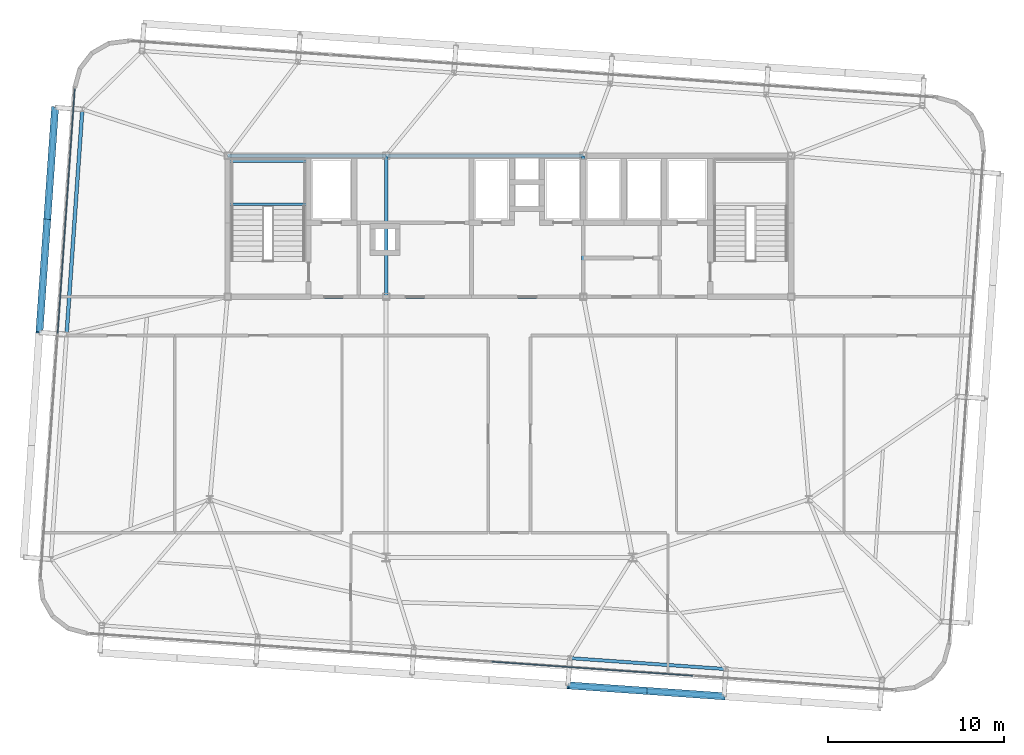
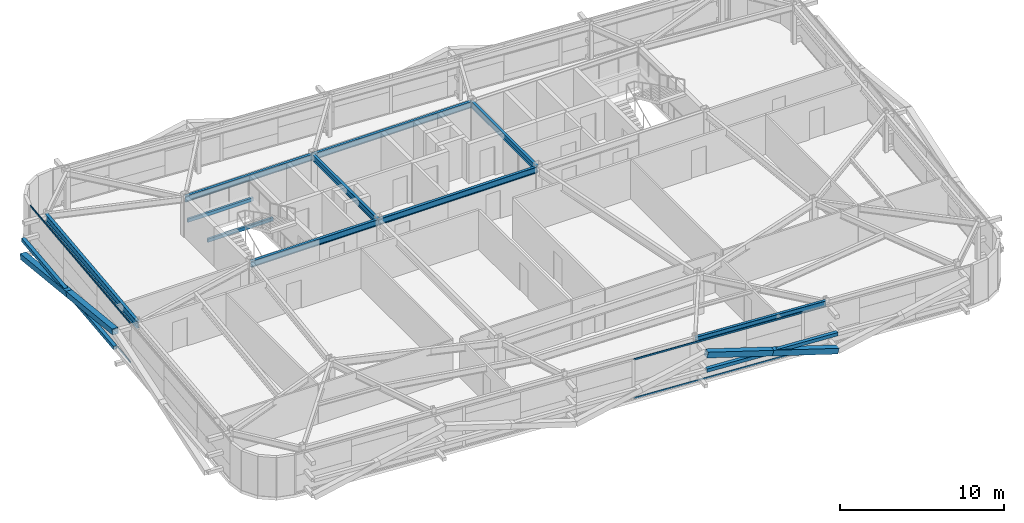
# One storey, part 12 of 39: 10 beams, 10 members, 2 elements without a shape of their own.
"""IFC4 building model written with IfcOpenShell, lengths in metres."""

import ifcopenshell
import ifcopenshell.guid

model = None  # the IFC model being written
_history = None  # IfcOwnerHistory: only IFC2X3 demands one
_inside = {}  # id of a spatial element -> (the spatial element, [elements in it])
_under = {}  # id of a project, library or spatial element -> (it, [spatial elements below it])
_declared = {}  # id of a project -> (the project, [libraries it declares])
_typed = {}  # id of a type object -> (the type object, [elements of that type])
_made_of = {}  # id of a material, layer set ... -> (it, [elements and type objects made of it])


def new_model(schema):
    """Start an empty IFC model of exactly this schema.

    Asked for "IFC4X3", IfcOpenShell would pick the latest addendum, in which some entities
    have other attributes; the version numbers below select the first issue.
    IFC2X3 requires an IfcOwnerHistory on every rooted entity: one is made here for all.
    """
    global model, _history
    if schema == "IFC4X3":
        model = ifcopenshell.file(schema_version=(4, 3, 0, 0))
    else:
        model = ifcopenshell.file(schema=schema)
    _inside.clear()
    _under.clear()
    _declared.clear()
    _typed.clear()
    _made_of.clear()
    _history = None
    if model.schema == "IFC2X3":
        org = make("IfcOrganization", Name="unknown")
        user = make(
            "IfcPersonAndOrganization",
            ThePerson=make("IfcPerson", FamilyName="unknown"),
            TheOrganization=org,
        )
        app = make(
            "IfcApplication",
            ApplicationDeveloper=org,
            Version="unknown",
            ApplicationFullName="unknown",
            ApplicationIdentifier="unknown",
        )
        _history = make(
            "IfcOwnerHistory",
            OwningUser=user,
            OwningApplication=app,
            ChangeAction="ADDED",
            CreationDate=0,
        )
    return model


def make(cls, **values):
    """One entity of the class cls with the attributes given. An attribute that is None is left unset."""
    return model.create_entity(
        cls, **{name: value for name, value in values.items() if value is not None}
    )


def rooted(cls, **values):
    """An entity with a GlobalId (a new one), such as an element, a storey or a relation."""
    return make(cls, GlobalId=ifcopenshell.guid.new(), OwnerHistory=_history, **values)


def si_unit(unit_type, name, prefix=None):
    """IfcSIUnit, for example si_unit("LENGTHUNIT", "METRE", prefix="MILLI")."""
    return make("IfcSIUnit", UnitType=unit_type, Prefix=prefix, Name=name)


def assignment(units):
    """IfcUnitAssignment: the units of a project."""
    return None if units is None else make("IfcUnitAssignment", Units=units)


def point(xyz):
    """IfcCartesianPoint."""
    return None if xyz is None else make("IfcCartesianPoint", Coordinates=xyz)


def direction(xyz):
    """IfcDirection."""
    return None if xyz is None else make("IfcDirection", DirectionRatios=xyz)


def frame(location, z_axis=None, x_axis=None):
    """IfcAxis2Placement3D, a coordinate frame: its origin and axes. An axis left out is left unset."""
    return make(
        "IfcAxis2Placement3D",
        Location=point(location),
        Axis=direction(z_axis),
        RefDirection=direction(x_axis),
    )


def frame_2d(location, x_axis=None):
    """IfcAxis2Placement2D, a coordinate frame in the plane: its origin and x axis."""
    return make(
        "IfcAxis2Placement2D", Location=point(location), RefDirection=direction(x_axis)
    )


def origin():
    """The frame at (0, 0, 0) with its axes left unset."""
    return frame((0.0, 0.0, 0.0))


def origin_2d():
    """The frame at (0, 0) in the plane with its x axis left unset."""
    return frame_2d((0.0, 0.0))


def place(relative_to, where):
    """IfcLocalPlacement: puts the frame where relative to a parent placement (None: the world)."""
    return make(
        "IfcLocalPlacement", PlacementRelTo=relative_to, RelativePlacement=where
    )


def context(
    kind, dimensions, precision=None, world=None, true_north=None, identifier=None
):
    """IfcGeometricRepresentationContext, for example the 3D "Model" context."""
    return make(
        "IfcGeometricRepresentationContext",
        ContextIdentifier=identifier,
        ContextType=kind,
        CoordinateSpaceDimension=dimensions,
        Precision=precision,
        WorldCoordinateSystem=world,
        TrueNorth=true_north,
    )


def subcontext(parent, identifier, kind, view, scale=None):
    """IfcGeometricRepresentationSubContext, for example "Body" below "Model"."""
    return make(
        "IfcGeometricRepresentationSubContext",
        ContextIdentifier=identifier,
        ContextType=kind,
        ParentContext=parent,
        TargetScale=scale,
        TargetView=view,
    )


def project(units=None, contexts=None):
    """IfcProject with its units and contexts."""
    return rooted(
        "IfcProject",
        Name="project",
        RepresentationContexts=contexts,
        UnitsInContext=assignment(units),
    )


def spatial(cls, under=None, at=None, **own):
    """A site, building, storey or space (cls), placed at a placement, below another one or the project."""
    s = rooted(cls, ObjectPlacement=at, **own)
    if under is not None:
        _under.setdefault(under.id(), (under, []))[1].append(s)
    return s


def profile(cls, at=None, kind="AREA", **sizes):
    """A parametric profile (cls). Its sizes go by their IFC names, for example OverallWidth=200.0."""
    return make(cls, ProfileType=kind, Position=at, **sizes)


def hollow_rectangle(**sizes):
    """IfcRectangleHollowProfileDef."""
    return profile("IfcRectangleHollowProfileDef", **sizes)


def i_section(**sizes):
    """IfcIShapeProfileDef."""
    return profile("IfcIShapeProfileDef", **sizes)


def extrude(swept, where, along, depth):
    """IfcExtrudedAreaSolid: the profile swept, set in the frame where, extruded along a direction by depth."""
    return make(
        "IfcExtrudedAreaSolid",
        SweptArea=swept,
        Position=where,
        ExtrudedDirection=direction(along),
        Depth=depth,
    )


def shape(context_of_items, identifier, shape_type, items):
    """IfcShapeRepresentation: the items that make up one representation, for example the "Body"."""
    return make(
        "IfcShapeRepresentation",
        ContextOfItems=context_of_items,
        RepresentationIdentifier=identifier,
        RepresentationType=shape_type,
        Items=items,
    )


def source(mapping_origin, context_of_items, identifier, shape_type, items):
    """IfcRepresentationMap: a shape defined once, which mapped items show again and again."""
    return make(
        "IfcRepresentationMap",
        MappingOrigin=mapping_origin,
        MappedRepresentation=shape(context_of_items, identifier, shape_type, items),
    )


def transform(
    local_origin,
    x_axis=None,
    y_axis=None,
    z_axis=None,
    scale=None,
    scale2=None,
    scale3=None,
    uniform=True,
):
    """IfcCartesianTransformationOperator3D, or its non-uniform kind. x_axis, y_axis, z_axis: its Axis1, 2, 3."""
    if uniform:
        return make(
            "IfcCartesianTransformationOperator3D",
            Axis1=direction(x_axis),
            Axis2=direction(y_axis),
            LocalOrigin=point(local_origin),
            Scale=scale,
            Axis3=direction(z_axis),
        )
    return make(
        "IfcCartesianTransformationOperator3DnonUniform",
        Axis1=direction(x_axis),
        Axis2=direction(y_axis),
        LocalOrigin=point(local_origin),
        Scale=scale,
        Axis3=direction(z_axis),
        Scale2=scale2,
        Scale3=scale3,
    )


def mapped(mapping_source, mapping_target):
    """IfcMappedItem: shows the shape of a source again, moved by a transform."""
    return make(
        "IfcMappedItem", MappingSource=mapping_source, MappingTarget=mapping_target
    )


def material(Name=None, Category=None):
    """IfcMaterial."""
    return make("IfcMaterial", Name=Name, Category=Category)


def layer(
    of_material, thickness, ventilated=None, Name=None, Category=None, Priority=None
):
    """IfcMaterialLayer: one layer of a wall or slab, of a material (None: an air gap)."""
    return make(
        "IfcMaterialLayer",
        Material=of_material,
        LayerThickness=thickness,
        IsVentilated=ventilated,
        Name=Name,
        Category=Category,
        Priority=Priority,
    )


def layer_set(layers, Name=None):
    """IfcMaterialLayerSet."""
    return make("IfcMaterialLayerSet", MaterialLayers=layers, LayerSetName=Name)


def material_profile(
    of_material, cross_section, Name=None, Category=None, Priority=None
):
    """IfcMaterialProfile: a cross section and its material."""
    return make(
        "IfcMaterialProfile",
        Name=Name,
        Material=of_material,
        Profile=cross_section,
        Priority=Priority,
        Category=Category,
    )


def profile_set(profiles, Name=None, composite=None):
    """IfcMaterialProfileSet."""
    return make(
        "IfcMaterialProfileSet",
        Name=Name,
        MaterialProfiles=profiles,
        CompositeProfile=composite,
    )


def made_of(thing, what):
    """Note that an element or type object is made of a material, layer set ...; save() writes the relation."""
    if what is not None:
        _made_of.setdefault(what.id(), (what, []))[1].append(thing)
    return thing


def type_object(cls, material=None, **own):
    """A type object (cls), such as IfcWallType, which elements share."""
    return made_of(rooted(cls, **own), material)


def element(
    cls,
    number,
    at=None,
    inside=None,
    cuts=None,
    type_object=None,
    material=None,
    context=None,
    identifier="Body",
    shape_type=None,
    held_by="IfcProductDefinitionShape",
    body=None,
    shapes=None,
    **own,
):
    """One element of the class cls, such as IfcWall. Its Tag is "e" and its number.

    at: its placement. inside: the storey or other place that contains it. cuts: it is an
    opening in that element (IfcRelVoidsElement). A single representation is given by context,
    identifier, shape_type and body (its items); several are given by shapes. held_by: the class
    of the entity that holds the representations. save() writes the other relations.
    """
    e = rooted(cls, Tag="e%d" % number, ObjectPlacement=at, **own)
    if body is not None:
        shapes = [shape(context, identifier, shape_type, body)]
    if shapes is not None:
        e.Representation = make(held_by, Representations=shapes)
    if inside is not None:
        _inside.setdefault(inside.id(), (inside, []))[1].append(e)
    if cuts is not None:
        rooted(
            "IfcRelVoidsElement", RelatingBuildingElement=cuts, RelatedOpeningElement=e
        )
    if type_object is not None:
        _typed.setdefault(type_object.id(), (type_object, []))[1].append(e)
    return made_of(e, material)


def aggregate(whole, parts):
    """IfcRelAggregates: a whole, such as a stair, and the parts it consists of."""
    return rooted("IfcRelAggregates", RelatingObject=whole, RelatedObjects=parts)


def save(model, path):
    """Write the relations noted so far, then the file.

    IfcRelAggregates (storeys below a building ...), IfcRelContainedInSpatialStructure (elements
    in a storey), IfcRelDefinesByType, IfcRelAssociatesMaterial and IfcRelDeclares: one each for
    every whole, place, type object, material and project.
    """
    for whole, parts in _under.values():
        aggregate(whole, parts)
    for where, things in _inside.values():
        rooted(
            "IfcRelContainedInSpatialStructure",
            RelatedElements=things,
            RelatingStructure=where,
        )
    for kind, things in _typed.values():
        rooted("IfcRelDefinesByType", RelatedObjects=things, RelatingType=kind)
    for what, things in _made_of.values():
        rooted("IfcRelAssociatesMaterial", RelatedObjects=things, RelatingMaterial=what)
    for by, libraries in _declared.values():
        rooted("IfcRelDeclares", RelatingContext=by, RelatedDefinitions=libraries)
    model.write(path)


model = new_model("IFC4")

# Units and contexts
model_context = context("Model", 3, precision=1e-05, world=origin(), true_north=direction((0.0, 1.0)))
body_context = subcontext(model_context, "Body", "Model", "MODEL_VIEW")
ifc_project = project(units=[si_unit("LENGTHUNIT", "METRE"), si_unit("AREAUNIT", "SQUARE_METRE"), si_unit("VOLUMEUNIT", "CUBIC_METRE"), si_unit("PLANEANGLEUNIT", "RADIAN"), si_unit("MASSUNIT", "GRAM", prefix="KILO")], contexts=[model_context])

# Site, building, storey
site_placement = place(None, origin())
site = spatial("IfcSite", under=ifc_project, at=site_placement, CompositionType="ELEMENT")
building_placement = place(site_placement, origin())
building = spatial("IfcBuilding", under=site, at=building_placement, Name="Taldren Reach Tower", CompositionType="ELEMENT")
storey_placement = place(building_placement, frame((0.0, 0.0, 126.699951171875)))
storey = spatial("IfcBuildingStorey", under=building, at=storey_placement, Name="L38", CompositionType="ELEMENT", Elevation=126.699951171875)

# Beams
ifc_material_1 = material(Name="Steel Gr 350 (350PLUS)", Category="steel")
ifc_material_profile_1 = material_profile(ifc_material_1, i_section(OverallWidth=0.19091796875, OverallDepth=0.4599609375, WebThickness=0.010009765625, FlangeThickness=0.01611328125, at=origin_2d()), Name="460UB82.1")
ifc_profile_set_1 = profile_set([ifc_material_profile_1], Name="Steel Gr 350 (350PLUS)")
beam_type_1 = type_object("IfcBeamType", Name="BM-UB460A", PredefinedType="BEAM", material=ifc_profile_set_1)
shared_shape_1 = source(origin(), body_context, "Body", "SweptSolid", [
    extrude(i_section(OverallWidth=0.19091796875, OverallDepth=0.4599609375, WebThickness=0.010009765625, FlangeThickness=0.01611328125, at=origin_2d()), origin(), (0.0, 0.0, 1.0), 9.0),
])
for number, where, z_axis, x_axis, name in (
    (1, (19.0, 24.0, 2.699951171875), (1.0, 0.0, 0.0), (0.0, 1.0, 0.0), "Core-spine girder L38-SP01"),
    (2, (19.0, 32.0, 2.699951171875), (1.0, 0.0, 0.0), (0.0, 1.0, 0.0), "Core-spine girder L38-SP04"),
):
    element("IfcBeam", number, at=place(storey_placement, frame(where, z_axis=z_axis, x_axis=x_axis)), inside=storey, type_object=beam_type_1, Name=name, PredefinedType="BEAM", context=body_context, shape_type="MappedRepresentation", body=[
        mapped(shared_shape_1, transform((0.0, 0.0, 0.0), scale=1.0)),
    ])
shared_shape_2 = source(origin(), body_context, "Body", "SweptSolid", [
    extrude(i_section(OverallWidth=0.19091796875, OverallDepth=0.4599609375, WebThickness=0.010009765625, FlangeThickness=0.01611328125, at=origin_2d()), origin(), (0.0, 0.0, 1.0), 11.199951171875),
])
for number, where, z_axis, x_axis, name in (
    (3, (28.0, 24.0, 2.699951171875), (1.0, 0.0, 0.0), (0.0, 1.0, 0.0), "Core-spine girder L38-SP02"),
    (4, (28.0, 32.0, 2.699951171875), (1.0, 0.0, 0.0), (0.0, 1.0, 0.0), "Core-spine girder L38-SP05"),
):
    element("IfcBeam", number, at=place(storey_placement, frame(where, z_axis=z_axis, x_axis=x_axis)), inside=storey, type_object=beam_type_1, Name=name, PredefinedType="BEAM", context=body_context, shape_type="MappedRepresentation", body=[
        mapped(shared_shape_2, transform((0.0, 0.0, 0.0), scale=1.0)),
    ])
shared_shape_3 = source(origin(), body_context, "Body", "SweptSolid", [
    extrude(i_section(OverallWidth=0.19091796875, OverallDepth=0.4599609375, WebThickness=0.010009765625, FlangeThickness=0.01611328125, at=origin_2d()), origin(), (0.0, 0.0, 1.0), 8.0),
])
for number, where, z_axis, x_axis, name in (
    (5, (28.0, 24.0, 2.699951171875), (0.0, 1.0, 0.0), (-1.0, 0.0, 0.0), "Core-spine girder L38-SP07"),
    (6, (39.199951171875, 24.0, 2.699951171875), (0.0, 1.0, 0.0), (-1.0, 0.0, 0.0), "Core-spine girder L38-SP08"),
):
    element("IfcBeam", number, at=place(storey_placement, frame(where, z_axis=z_axis, x_axis=x_axis)), inside=storey, type_object=beam_type_1, Name=name, PredefinedType="BEAM", context=body_context, shape_type="MappedRepresentation", body=[
        mapped(shared_shape_3, transform((0.0, 0.0, 0.0), scale=1.0)),
    ])
ifc_material_profile_2 = material_profile(ifc_material_1, i_section(OverallWidth=0.18994140625, OverallDepth=0.4541015625, WebThickness=0.008544921875, FlangeThickness=0.0126953125, at=origin_2d()), Name="460UB67.1")
ifc_profile_set_2 = profile_set([ifc_material_profile_2], Name="Steel Gr 350 (350PLUS)")
beam_type_2 = type_object("IfcBeamType", Name="SP-UB460B", PredefinedType="SPANDREL", material=ifc_profile_set_2)
shared_shape_4 = source(origin(), body_context, "Body", "SweptSolid", [
    extrude(i_section(OverallWidth=0.18994140625, OverallDepth=0.4541015625, WebThickness=0.008544921875, FlangeThickness=0.0126953125, at=origin_2d()), origin(), (0.0, 0.0, 1.0), 8.880126953125),
])
beam_1_placement = place(storey_placement, frame((38.438720703125, 3.480224609375, 2.703125), z_axis=(0.997562566276, -0.06977769246, 0.0), x_axis=(0.06977769246, 0.997562566276, 0.0)))
element("IfcBeam", 7, at=beam_1_placement, inside=storey, type_object=beam_type_2, Name="Perimeter spandrel B3 S4-S5 L38", PredefinedType="SPANDREL", context=body_context, shape_type="MappedRepresentation", body=[
    mapped(shared_shape_4, transform((0.0, 0.0, 0.0), scale=1.0)),
])
ifc_material_profile_3 = material_profile(ifc_material_1, i_section(OverallWidth=0.208984375, OverallDepth=0.528076171875, WebThickness=0.009521484375, FlangeThickness=0.01318359375, at=origin_2d()), Name="530UB82.0")
ifc_profile_set_3 = profile_set([ifc_material_profile_3], Name="Steel Gr 350 (350PLUS)")
beam_type_3 = type_object("IfcBeamType", Name="SP-UB530B", PredefinedType="SPANDREL", material=ifc_profile_set_3)
shared_shape_5 = source(origin(), body_context, "Body", "SweptSolid", [
    extrude(i_section(OverallWidth=0.208984375, OverallDepth=0.528076171875, WebThickness=0.009521484375, FlangeThickness=0.01318359375, at=origin_2d()), origin(), (0.0, 0.0, 1.0), 12.800048828125),
])
beam_2_placement = place(storey_placement, frame((10.754638671875, 34.63720703125, 2.666015625), z_axis=(-0.069751876777, -0.9975643717, 0.0), x_axis=(0.9975643717, -0.069751876777, 0.0)))
element("IfcBeam", 8, at=beam_2_placement, inside=storey, type_object=beam_type_3, Name="Perimeter spandrel B3 W3-W2 L38", PredefinedType="SPANDREL", context=body_context, shape_type="MappedRepresentation", body=[
    mapped(shared_shape_5, transform((0.0, 0.0, 0.0), scale=1.0)),
])

# Members
ifc_material_2 = material(Name="Steel Gr 350 (C350L0)", Category="steel")
ifc_material_profile_4 = material_profile(ifc_material_2, hollow_rectangle(XDim=0.25, YDim=0.25, WallThickness=0.010009765625, at=origin_2d()), Name="250x250x10.0SHS")
ifc_profile_set_4 = profile_set([ifc_material_profile_4], Name="Steel Gr 350 (C350L0)")
member_type_1 = type_object("IfcMemberType", Name="MB-POST250", PredefinedType="POST", material=ifc_profile_set_4)
shared_shape_6 = source(origin(), body_context, "Body", "SweptSolid", [
    extrude(hollow_rectangle(XDim=0.25, YDim=0.25, WallThickness=0.010009765625, at=origin_2d()), origin(), (0.0, 0.0, 1.0), 8.880126953125),
])
member_1_placement = place(storey_placement, frame((38.33056640625, 1.933837890625, 1.43505859375), z_axis=(0.997564479639, -0.069750333063, 0.0), x_axis=(0.069750333063, 0.997564479639, 0.0)))
element("IfcMember", 9, at=member_1_placement, inside=storey, type_object=member_type_1, Name="Exoskeleton mid-height ring chord B3-S4 L38", PredefinedType="POST", context=body_context, shape_type="MappedRepresentation", body=[
    mapped(shared_shape_6, transform((0.0, 0.0, 0.0), scale=1.0)),
])
shared_shape_7 = source(origin(), body_context, "Body", "SweptSolid", [
    extrude(hollow_rectangle(XDim=0.25, YDim=0.25, WallThickness=0.010009765625, at=origin_2d()), origin(), (0.0, 0.0, 1.0), 12.800048828125),
])
member_2_placement = place(storey_placement, frame((8.3154296875, 21.9765625, 1.43505859375), z_axis=(0.069770857464, 0.997563044348, 0.0), x_axis=(-0.997563044348, 0.069770857464, 0.0)))
element("IfcMember", 10, at=member_2_placement, inside=storey, type_object=member_type_1, Name="Exoskeleton mid-height ring chord B3-W2 L38", PredefinedType="POST", context=body_context, shape_type="MappedRepresentation", body=[
    mapped(shared_shape_7, transform((0.0, 0.0, 0.0), scale=1.0)),
])
ifc_material_3 = material(Name="Steel Gr 450 (C450L0)", Category="steel")
ifc_material_profile_5 = material_profile(ifc_material_3, hollow_rectangle(XDim=0.409912109375, YDim=0.409912109375, WallThickness=0.01611328125, at=origin_2d()), Name="410x410x16.0SHS")
ifc_profile_set_5 = profile_set([ifc_material_profile_5], Name="Steel Gr 450 (C450L0)")
member_type_2 = type_object("IfcMemberType", Name="MB-EXO406", PredefinedType="BRACE", material=ifc_profile_set_5)
shared_shape_8 = source(origin(), body_context, "Body", "SweptSolid", [
    extrude(hollow_rectangle(XDim=0.409912109375, YDim=0.409912109375, WallThickness=0.01611328125, at=origin_2d()), origin(), (0.0, 0.0, 1.0), 4.603271484375),
])
for number, where, z_axis, x_axis, name in (
    (11, (47.18896484375, 1.314453125, 0.219970703125), (-0.962182351074, 0.067302910567, 0.263961060594), (-0.06977769246, -0.997562566276, 0.0), "Exoskeleton Diagrid Brace B3-S4 L38"),
    (12, (42.759765625, 1.624267578125, 1.43505859375), (-0.962185784239, 0.067250114343, 0.263962002434), (-0.069722973508, -0.997566392259, 0.0), "Exoskeleton Diagrid Brace B3-S4 L38"),
):
    element("IfcMember", number, at=place(storey_placement, frame(where, z_axis=z_axis, x_axis=x_axis)), inside=storey, type_object=member_type_2, Name=name, PredefinedType="BRACE", context=body_context, shape_type="MappedRepresentation", body=[
        mapped(shared_shape_8, transform((0.0, 0.0, 0.0), scale=1.0)),
    ])
shared_shape_9 = source(origin(), body_context, "Body", "SweptSolid", [
    extrude(hollow_rectangle(XDim=0.409912109375, YDim=0.409912109375, WallThickness=0.01611328125, at=origin_2d()), origin(), (0.0, 0.0, 1.0), 6.514404296875),
])
member_3_placement = place(storey_placement, frame((9.20849609375, 34.745361328125, 0.219970703125), z_axis=(-0.068545126831, -0.980056649402, 0.186522195865), x_axis=(0.997563137195, -0.069769529958, 0.0)))
element("IfcMember", 13, at=member_3_placement, inside=storey, type_object=member_type_2, Name="Exoskeleton Diagrid Brace B3-W2 L38", PredefinedType="BRACE", context=body_context, shape_type="MappedRepresentation", body=[
    mapped(shared_shape_9, transform((0.0, 0.0, 0.0), scale=1.0)),
])
shared_shape_10 = source(origin(), body_context, "Body", "SweptSolid", [
    extrude(hollow_rectangle(XDim=0.409912109375, YDim=0.409912109375, WallThickness=0.01611328125, at=origin_2d()), origin(), (0.0, 0.0, 1.0), 6.51416015625),
])
member_4_placement = place(storey_placement, frame((8.761962890625, 28.36083984375, 1.43505859375), z_axis=(-0.068547644544, -0.980055169399, 0.186529046964), x_axis=(0.997562951496, -0.069772185021, 0.0)))
element("IfcMember", 14, at=member_4_placement, inside=storey, type_object=member_type_2, Name="Exoskeleton Diagrid Brace B3-W2 L38", PredefinedType="BRACE", context=body_context, shape_type="MappedRepresentation", body=[
    mapped(shared_shape_10, transform((0.0, 0.0, 0.0), scale=1.0)),
])

# Curtain wall, members
ifc_material_4 = material(Name="Aluminium and Low-E Glass Unitised System", Category="aluminium")
ifc_layer = layer(ifc_material_4, 0.159912109375)
ifc_layer_set = layer_set([ifc_layer], Name="Aluminium and Low-E Glass Unitised System")
curtain_wall_type = type_object("IfcCurtainWallType", Name="CW-SYS-4", PredefinedType="NOTDEFINED", material=ifc_layer_set)
curtain_wall_1_placement = place(storey_placement, origin())
curtain_wall_1 = element("IfcCurtainWall", 15, at=curtain_wall_1_placement, inside=storey, type_object=curtain_wall_type, Name="Unitised curtain wall CW-L38-S", PredefinedType="NOTDEFINED")
ifc_material_5 = material(Name="Anodised Aluminium 6063-T6", Category="aluminium")
ifc_material_profile_6 = material_profile(ifc_material_5, hollow_rectangle(XDim=0.054931640625, YDim=0.1201171875, WallThickness=0.0029296875, at=origin_2d()), Name="ALU-120x55x3RHS")
ifc_profile_set_6 = profile_set([ifc_material_profile_6], Name="Anodised Aluminium 6063-T6")
member_type_3 = type_object("IfcMemberType", Name="CW-TRN-135", PredefinedType="USERDEFINED", material=ifc_profile_set_6)
shared_shape_11 = source(origin(), body_context, "Body", "SweptSolid", [
    extrude(hollow_rectangle(XDim=0.054931640625, YDim=0.1201171875, WallThickness=0.0029296875, at=origin_2d()), origin(), (0.0, 0.0, 1.0), 11.429931640625),
])
member_5_placement = place(storey_placement, frame((34.0087890625, 3.278564453125, 0.027587890625), z_axis=(0.997563740938, -0.069760897114, 0.0), x_axis=(0.069760897114, 0.997563740938, 0.0)))
member_5 = element("IfcMember", 16, at=member_5_placement, type_object=member_type_3, Name="CW-4 transom 3.1", ObjectType="TRANSOM", PredefinedType="USERDEFINED", context=body_context, shape_type="MappedRepresentation", body=[
    mapped(shared_shape_11, transform((0.0, 0.0, 0.0), scale=1.0)),
])
member_6_placement = place(storey_placement, frame((34.0087890625, 3.278564453125, 2.902587890625), z_axis=(0.997563740938, -0.069760897114, 0.0), x_axis=(0.069760897114, 0.997563740938, 0.0)))
member_6 = element("IfcMember", 17, at=member_6_placement, type_object=member_type_3, Name="CW-4 transom 3.2", ObjectType="TRANSOM", PredefinedType="USERDEFINED", context=body_context, shape_type="MappedRepresentation", body=[
    mapped(shared_shape_11, transform((0.0, 0.0, 0.0), scale=1.0)),
])
aggregate(curtain_wall_1, [member_5, member_6])

curtain_wall_2_placement = place(storey_placement, origin())
curtain_wall_2 = element("IfcCurtainWall", 18, at=curtain_wall_2_placement, inside=storey, type_object=curtain_wall_type, Name="Unitised curtain wall CW-L38-W", PredefinedType="NOTDEFINED")
shared_shape_12 = source(origin(), body_context, "Body", "SweptSolid", [
    extrude(hollow_rectangle(XDim=0.054931640625, YDim=0.1201171875, WallThickness=0.0029296875, at=origin_2d()), origin(), (0.0, 0.0, 1.0), 13.895263671875),
])
member_7_placement = place(storey_placement, frame((10.32470703125, 35.800048828125, 0.027587890625), z_axis=(-0.069753594456, -0.997564251595, 0.0), x_axis=(0.997564251595, -0.069753594456, 0.0)))
member_7 = element("IfcMember", 19, at=member_7_placement, type_object=member_type_3, Name="CW-4 transom 1.1", ObjectType="TRANSOM", PredefinedType="USERDEFINED", context=body_context, shape_type="MappedRepresentation", body=[
    mapped(shared_shape_12, transform((0.0, 0.0, 0.0), scale=1.0)),
])
member_8_placement = place(storey_placement, frame((10.32470703125, 35.800048828125, 2.902587890625), z_axis=(-0.069753594456, -0.997564251595, 0.0), x_axis=(0.997564251595, -0.069753594456, 0.0)))
member_8 = element("IfcMember", 20, at=member_8_placement, type_object=member_type_3, Name="CW-4 transom 1.2", ObjectType="TRANSOM", PredefinedType="USERDEFINED", context=body_context, shape_type="MappedRepresentation", body=[
    mapped(shared_shape_12, transform((0.0, 0.0, 0.0), scale=1.0)),
])
aggregate(curtain_wall_2, [member_7, member_8])

# Beams
ifc_material_profile_7 = material_profile(ifc_material_2, hollow_rectangle(XDim=0.14990234375, YDim=0.25, WallThickness=0.009033203125, at=origin_2d()), Name="250x150x9.0RHS")
ifc_profile_set_7 = profile_set([ifc_material_profile_7], Name="Steel Gr 350 (C350L0)")
beam_type_4 = type_object("IfcBeamType", Name="LN-RHS250", PredefinedType="LINTEL", material=ifc_profile_set_7)
shared_shape_13 = source(origin(), body_context, "Body", "SweptSolid", [
    extrude(hollow_rectangle(XDim=0.14990234375, YDim=0.25, WallThickness=0.009033203125, at=origin_2d()), origin(), (0.0, 0.0, 1.0), 4.60009765625),
])
for number, where, z_axis, x_axis, name in (
    (21, (19.0, 29.2548828125, 1.27001953125), (1.0, 0.0, 0.0), (0.0, 1.0, 0.0), "Stair half-landing support beam ST1-L38-1"),
    (22, (19.0, 31.699951171875, 1.27001953125), (1.0, 0.0, 0.0), (0.0, 1.0, 0.0), "Stair half-landing support beam ST1-L38-2"),
):
    element("IfcBeam", number, at=place(storey_placement, frame(where, z_axis=z_axis, x_axis=x_axis)), inside=storey, type_object=beam_type_4, Name=name, PredefinedType="LINTEL", context=body_context, shape_type="MappedRepresentation", body=[
        mapped(shared_shape_13, transform((0.0, 0.0, 0.0), scale=1.0)),
    ])

save(model, "model.ifc")
